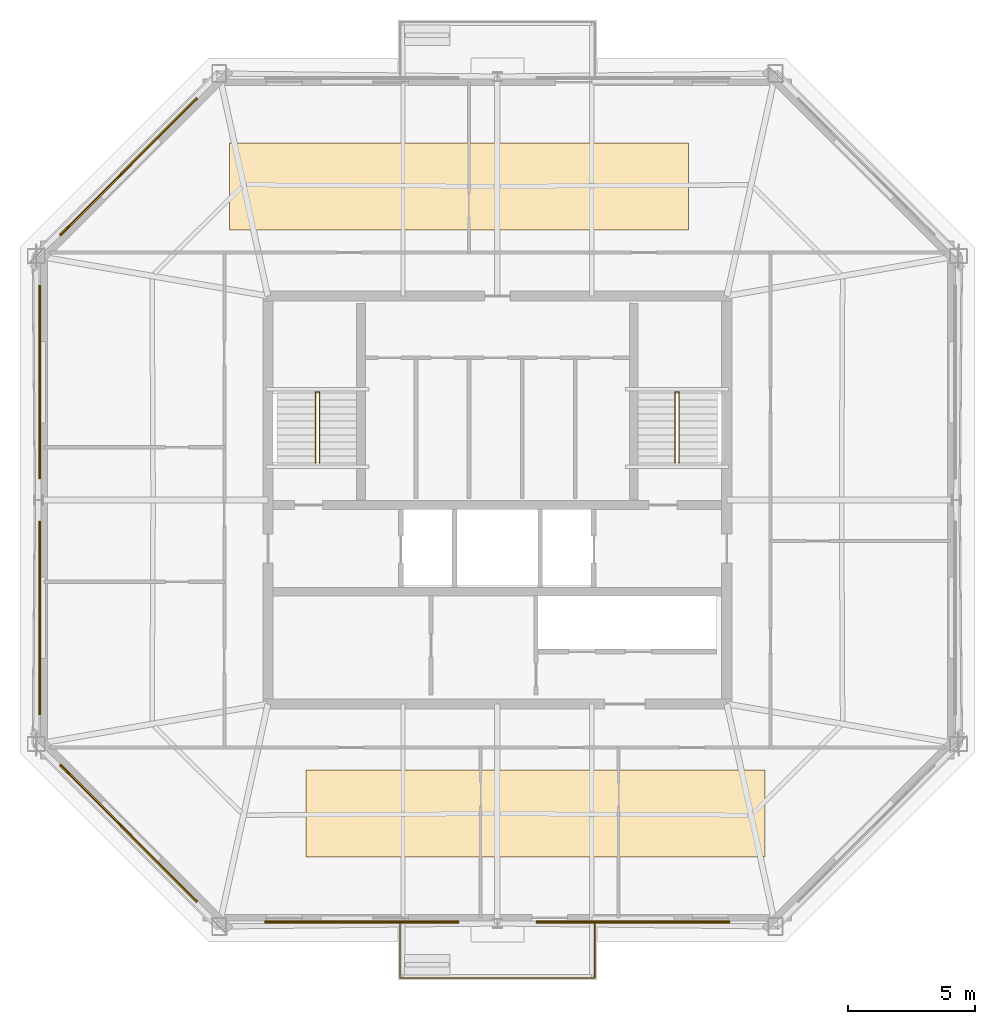
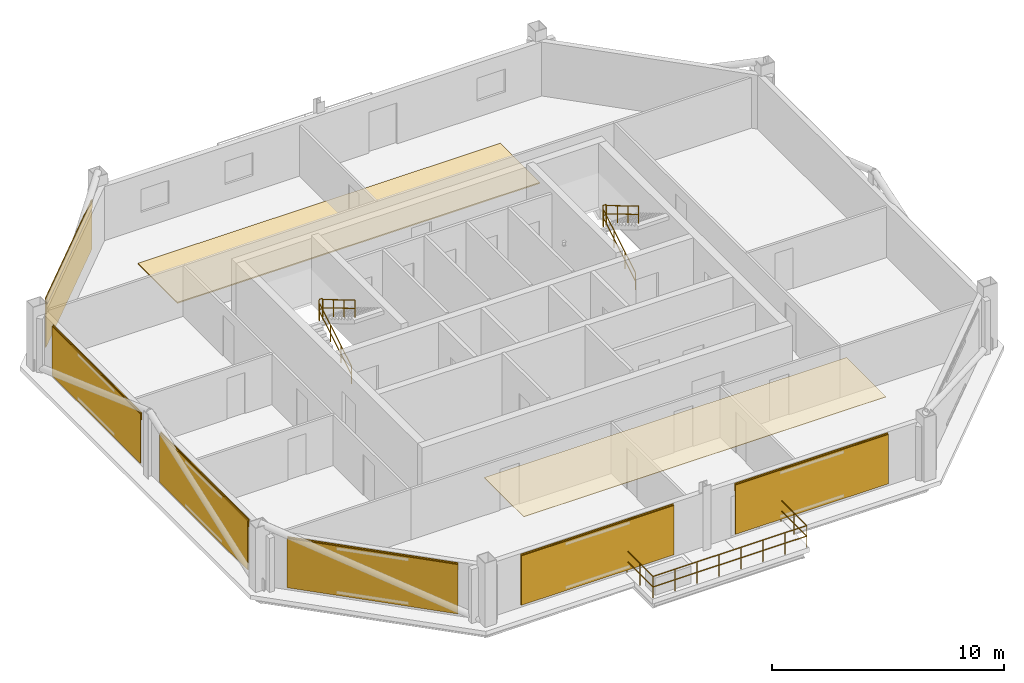
# One storey, part 5 of 6: 8 coverings, 7 railings, 6 shading devices.
"""IFC4 building model written with IfcOpenShell, lengths in metres."""

from ifc_helpers import new_model, si_unit, direction, frame, origin, origin_2d, place, context, subcontext, project, spatial, polyline, rectangle, circle, outline, extrude, material, layer, layer_set, type_object, element, save


model = new_model("IFC4")

# Units and contexts
model_context = context("Model", 3, precision=1e-05, world=origin(), true_north=direction((0.0, 1.0)))
body_context = subcontext(model_context, "Body", "Model", "MODEL_VIEW")
ifc_project = project(units=[si_unit("LENGTHUNIT", "METRE"), si_unit("AREAUNIT", "SQUARE_METRE"), si_unit("VOLUMEUNIT", "CUBIC_METRE"), si_unit("PLANEANGLEUNIT", "RADIAN"), si_unit("MASSUNIT", "GRAM", prefix="KILO")], contexts=[model_context])

# Site, building, storey
site_placement = place(None, origin())
site = spatial("IfcSite", under=ifc_project, at=site_placement, CompositionType="ELEMENT")
building_placement = place(site_placement, origin())
building = spatial("IfcBuilding", under=site, at=building_placement, Name="Caelvoria Tower", CompositionType="ELEMENT")
storey_placement = place(building_placement, frame((0.0, 0.0, 261.0)))
storey = spatial("IfcBuildingStorey", under=building, at=storey_placement, Name="L69", CompositionType="ELEMENT", Elevation=261.0)

# Railing
ifc_material_1 = material(Name="Bronze Anodised Aluminium and Stainless Steel", Category="steel")
railing_type_1 = type_object("IfcRailingType", Name="Exterior Terrace and Balcony Guardrail 1150", PredefinedType="GUARDRAIL", material=ifc_material_1)
railing_1_placement = place(storey_placement, frame((42.179931640625, 15.47265625, 0.0)))
element("IfcRailing", 1, at=railing_1_placement, inside=storey, type_object=railing_type_1, Name="Tree Balcony Guardrail TB-L69-S", PredefinedType="GUARDRAIL", context=body_context, shape_type="SweptSolid", body=[
    extrude(circle(Radius=0.02392578125, at=origin_2d()), frame((0.0, 0.0, 1.1259765625), z_axis=(0.0, -1.0, 0.0), x_axis=(1.0, 0.0, 0.0)), (0.0, 0.0, 1.0), 2.219970703125),
    extrude(circle(Radius=0.02392578125, at=origin_2d()), frame((0.0, 0.0, 0.574951171875), z_axis=(0.0, -1.0, 0.0), x_axis=(1.0, 0.0, 0.0)), (0.0, 0.0, 1.0), 2.219970703125),
    extrude(circle(Radius=0.02392578125, at=origin_2d()), frame((0.0, -2.219970703125, 1.1259765625), z_axis=(1.0, 0.0, 0.0), x_axis=(0.0, 1.0, 0.0)), (0.0, 0.0, 1.0), 7.64013671875),
    extrude(circle(Radius=0.02392578125, at=origin_2d()), frame((0.0, -2.219970703125, 0.574951171875), z_axis=(1.0, 0.0, 0.0), x_axis=(0.0, 1.0, 0.0)), (0.0, 0.0, 1.0), 7.64013671875),
    extrude(circle(Radius=0.02392578125, at=origin_2d()), frame((7.64013671875, -2.219970703125, 1.1259765625), z_axis=(0.0, 1.0, 0.0), x_axis=(-1.0, 0.0, 0.0)), (0.0, 0.0, 1.0), 2.219970703125),
    extrude(circle(Radius=0.02392578125, at=origin_2d()), frame((7.64013671875, -2.219970703125, 0.574951171875), z_axis=(0.0, 1.0, 0.0), x_axis=(-1.0, 0.0, 0.0)), (0.0, 0.0, 1.0), 2.219970703125),
    extrude(circle(Radius=0.02099609375, at=origin_2d()), origin(), (0.0, 0.0, 1.0), 1.101806640625),
    extrude(circle(Radius=0.02099609375, at=origin_2d()), frame((0.0, -1.10986328125, 0.0)), (0.0, 0.0, 1.0), 1.101806640625),
    extrude(circle(Radius=0.02099609375, at=origin_2d()), frame((0.0, -2.219970703125, 0.0)), (0.0, 0.0, 1.0), 1.101806640625),
    extrude(circle(Radius=0.02099609375, at=origin_2d()), frame((1.091552734375, -2.219970703125, 0.0)), (0.0, 0.0, 1.0), 1.101806640625),
    extrude(circle(Radius=0.02099609375, at=origin_2d()), frame((2.182861328125, -2.219970703125, 0.0)), (0.0, 0.0, 1.0), 1.101806640625),
    extrude(circle(Radius=0.02099609375, at=origin_2d()), frame((3.2744140625, -2.219970703125, 0.0)), (0.0, 0.0, 1.0), 1.101806640625),
    extrude(circle(Radius=0.02099609375, at=origin_2d()), frame((4.36572265625, -2.219970703125, 0.0)), (0.0, 0.0, 1.0), 1.101806640625),
    extrude(circle(Radius=0.02099609375, at=origin_2d()), frame((5.457275390625, -2.219970703125, 0.0)), (0.0, 0.0, 1.0), 1.101806640625),
    extrude(circle(Radius=0.02099609375, at=origin_2d()), frame((6.548583984375, -2.219970703125, 0.0)), (0.0, 0.0, 1.0), 1.101806640625),
    extrude(circle(Radius=0.02099609375, at=origin_2d()), frame((7.64013671875, -2.219970703125, 0.0)), (0.0, 0.0, 1.0), 1.101806640625),
    extrude(circle(Radius=0.02099609375, at=origin_2d()), frame((7.64013671875, -1.10986328125, 0.0)), (0.0, 0.0, 1.0), 1.101806640625),
    extrude(circle(Radius=0.02099609375, at=origin_2d()), frame((7.64013671875, 0.0, 0.0)), (0.0, 0.0, 1.0), 1.101806640625),
])

# Coverings
ifc_material_2 = material(Name="Acoustic Mineral Fibre Tile", Category="gypsum")
ifc_layer_1 = layer(ifc_material_2, 0.02490234375, Name="Acoustic Mineral Fibre Tile")
ifc_layer_set_1 = layer_set([ifc_layer_1], Name="Mineral-Fibre Acoustic Suspended Ceiling 25 - Acoustic Mineral Fibre Tile")
covering_type_1 = type_object("IfcCoveringType", Name="Mineral-Fibre Acoustic Suspended Ceiling 25", PredefinedType="CEILING", material=ifc_layer_set_1)
covering_1_placement = place(storey_placement, frame((0.0, 0.0, 2.64990234375)))
element("IfcCovering", 2, at=covering_1_placement, inside=storey, type_object=covering_type_1, Name="Suspended Acoustic Ceiling L69", PredefinedType="CEILING", context=body_context, shape_type="SweptSolid", body=[
    extrude(outline(polyline([(38.5, 18.0), (56.5, 18.0), (56.5, 21.39990234375), (38.5, 21.39990234375), (38.5, 18.0)])), origin(), (0.0, 0.0, 1.0), 0.025146484375),
])
ifc_material_3 = material(Name="Perforated Architectural Bronze Cladding Screen", Category="bronze")
ifc_layer_2 = layer(ifc_material_3, 0.0400390625, Name="Perforated Architectural Bronze Cladding Screen")
ifc_layer_set_2 = layer_set([ifc_layer_2], Name="Perforated Bronze Louvre Cladding Band 40 - Perforated Architectural Bronze Cladding Screen")
covering_type_2 = type_object("IfcCoveringType", Name="Perforated Bronze Louvre Cladding Band 40", PredefinedType="CLADDING", material=ifc_layer_set_2)
for number, where, z_axis, x_axis, name in (
    (3, (40.677734375, 15.46826171875, 2.412109375), (0.0, 0.0, 1.0), (1.0, 0.0, 0.0), "Perforated Bronze Screen Band L69-E0-00"),
    (4, (51.322265625, 15.46826171875, 2.412109375), (0.0, 0.0, 1.0), (1.0, 0.0, 0.0), "Perforated Bronze Screen Band L69-E0-01"),
    (5, (31.548828125, 45.0556640625, 2.412109375), (0.0, 0.0, 1.0), (-0.707106781187, -0.707106781187, 0.0), "Perforated Bronze Screen Band L69-E5-00"),
    (6, (28.07275390625, 36.62451171875, 2.412109375), (0.0, 0.0, 1.0), (0.0, -1.0, 0.0), "Perforated Bronze Screen Band L69-E6-00"),
    (7, (28.07275390625, 27.37548828125, 2.412109375), (0.0, 0.0, 1.0), (0.0, -1.0, 0.0), "Perforated Bronze Screen Band L69-E6-01"),
    (8, (31.548828125, 18.9443359375, 2.412109375), (0.0, 0.0, 1.0), (0.707106781187, -0.707106781187, 0.0), "Perforated Bronze Screen Band L69-E7-00"),
):
    element("IfcCovering", number, at=place(storey_placement, frame(where, z_axis=z_axis, x_axis=x_axis)), inside=storey, type_object=covering_type_2, Name=name, PredefinedType="CLADDING", context=body_context, shape_type="SweptSolid", body=[
        extrude(rectangle(XDim=7.60009765625, YDim=0.0400390625, at=origin_2d()), origin(), (0.0, 0.0, 1.0), 0.39990234375),
    ])

# Shading devices
ifc_material_4 = material(Name="Perforated Architectural Bronze Alloy Panel", Category="bronze")
ifc_layer_3 = layer(ifc_material_4, 0.044921875, Name="Perforated Architectural Bronze Alloy Panel")
ifc_layer_set_3 = layer_set([ifc_layer_3], Name="Perforated Bronze Solar Screen Panel SCREEN - Perforated Architectural Bronze Alloy Panel")
shading_device_type = type_object("IfcShadingDeviceType", Name="Perforated Bronze Solar Screen Panel SCREEN", PredefinedType="USERDEFINED", material=ifc_layer_set_3)
for number, where, z_axis, x_axis, name in (
    (9, (40.677734375, 15.42529296875, 0.16015625), (0.0, 0.0, 1.0), (1.0, 0.0, 0.0), "Perforated Bronze Solar Screen L69-E0-00"),
    (10, (51.322265625, 15.42529296875, 0.16015625), (0.0, 0.0, 1.0), (1.0, 0.0, 0.0), "Perforated Bronze Solar Screen L69-E0-01"),
    (11, (31.5185546875, 45.086181640625, 0.16015625), (0.0, 0.0, 1.0), (-0.707106781187, -0.707106781187, 0.0), "Perforated Bronze Solar Screen L69-E5-00"),
    (12, (28.02978515625, 36.62451171875, 0.16015625), (0.0, 0.0, 1.0), (0.0, -1.0, 0.0), "Perforated Bronze Solar Screen L69-E6-00"),
    (13, (28.02978515625, 27.37548828125, 0.16015625), (0.0, 0.0, 1.0), (0.0, -1.0, 0.0), "Perforated Bronze Solar Screen L69-E6-01"),
    (14, (31.5185546875, 18.913818359375, 0.16015625), (0.0, 0.0, 1.0), (0.707106781187, -0.707106781187, 0.0), "Perforated Bronze Solar Screen L69-E7-00"),
):
    element("IfcShadingDevice", number, at=place(storey_placement, frame(where, z_axis=z_axis, x_axis=x_axis)), inside=storey, type_object=shading_device_type, Name=name, ObjectType="SCREEN", PredefinedType="USERDEFINED", context=body_context, shape_type="SweptSolid", body=[
        extrude(rectangle(XDim=7.60009765625, YDim=0.044921875, at=origin_2d()), origin(), (0.0, 0.0, 1.0), 2.592041015625),
    ])

# Covering
ifc_material_5 = material(Name="Calcium-Sulphate Raised Floor Tile", Category="gypsum")
ifc_layer_4 = layer(ifc_material_5, 0.06005859375, Name="Calcium-Sulphate Raised Floor Tile")
ifc_layer_set_4 = layer_set([ifc_layer_4], Name="Raised Access Office Floor System 120 - Calcium-Sulphate Raised Floor Tile")
covering_type_3 = type_object("IfcCoveringType", Name="Raised Access Office Floor System 120", PredefinedType="FLOORING", material=ifc_layer_set_4)
covering_2_placement = place(storey_placement, origin())
element("IfcCovering", 15, at=covering_2_placement, inside=storey, type_object=covering_type_3, Name="Raised Access Flooring L69", PredefinedType="FLOORING", context=body_context, shape_type="SweptSolid", body=[
    extrude(outline(polyline([(35.5, 42.60009765625), (53.5, 42.60009765625), (53.5, 46.0), (35.5, 46.0), (35.5, 42.60009765625)])), origin(), (0.0, 0.0, 1.0), 0.06005859375),
])

# Railings
ifc_material_6 = material(Name="Brushed Stainless Steel Tube", Category="steel")
railing_type_2 = type_object("IfcRailingType", Name="Stair Tubular Stainless Handrail 920", PredefinedType="HANDRAIL", material=ifc_material_6)
railing_2_placement = place(storey_placement, frame((38.8701171875, 33.449951171875, 0.16357421875)))
element("IfcRailing", 16, at=railing_2_placement, inside=storey, type_object=railing_type_2, Name="ST-01 Flight 1 Handrail L69", PredefinedType="HANDRAIL", context=body_context, shape_type="SweptSolid", body=[
    extrude(circle(Radius=0.02392578125, at=origin_2d()), frame((0.0, 0.0, 0.89599609375), z_axis=(0.0, 0.859351957796, 0.511384603436), x_axis=(-1.0, 0.0, 0.0)), (0.0, 0.0, 1.0), 3.2001953125),
    extrude(circle(Radius=0.02392578125, at=origin_2d()), frame((0.0, 0.0, 0.4599609375), z_axis=(0.0, 0.859351957796, 0.511384603436), x_axis=(-1.0, 0.0, 0.0)), (0.0, 0.0, 1.0), 3.2001953125),
    extrude(circle(Radius=0.02099609375, at=origin_2d()), origin(), (0.0, 0.0, 1.0), 0.871826171875),
    extrude(circle(Radius=0.02099609375, at=origin_2d()), frame((0.0, 0.916748046875, 0.54541015625)), (0.0, 0.0, 1.0), 0.871826171875),
    extrude(circle(Radius=0.02099609375, at=origin_2d()), frame((0.0, 1.833251953125, 1.091064453125)), (0.0, 0.0, 1.0), 0.871826171875),
    extrude(circle(Radius=0.02099609375, at=origin_2d()), frame((0.0, 2.75, 1.636474609375)), (0.0, 0.0, 1.0), 0.871826171875),
])
railing_3_placement = place(storey_placement, frame((39.030029296875, 36.199951171875, 1.963623046875)))
element("IfcRailing", 17, at=railing_3_placement, inside=storey, type_object=railing_type_2, Name="ST-01 Flight 2 Handrail L69", PredefinedType="HANDRAIL", context=body_context, shape_type="SweptSolid", body=[
    extrude(circle(Radius=0.02392578125, at=origin_2d()), frame((0.0, 0.0, 0.89599609375), z_axis=(0.0, -0.859351957796, 0.511384603436), x_axis=(1.0, 0.0, 0.0)), (0.0, 0.0, 1.0), 3.2001953125),
    extrude(circle(Radius=0.02392578125, at=origin_2d()), frame((0.0, 0.0, 0.4599609375), z_axis=(0.0, -0.859351957796, 0.511384603436), x_axis=(1.0, 0.0, 0.0)), (0.0, 0.0, 1.0), 3.2001953125),
    extrude(circle(Radius=0.02099609375, at=origin_2d()), origin(), (0.0, 0.0, 1.0), 0.871826171875),
    extrude(circle(Radius=0.02099609375, at=origin_2d()), frame((0.0, -0.916748046875, 0.54541015625)), (0.0, 0.0, 1.0), 0.871826171875),
    extrude(circle(Radius=0.02099609375, at=origin_2d()), frame((0.0, -1.833251953125, 1.091064453125)), (0.0, 0.0, 1.0), 0.871826171875),
    extrude(circle(Radius=0.02099609375, at=origin_2d()), frame((0.0, -2.75, 1.636474609375)), (0.0, 0.0, 1.0), 0.871826171875),
])
railing_4_placement = place(storey_placement, frame((52.969970703125, 33.449951171875, 0.16357421875)))
element("IfcRailing", 18, at=railing_4_placement, inside=storey, type_object=railing_type_2, Name="ST-02 Flight 1 Handrail L69", PredefinedType="HANDRAIL", context=body_context, shape_type="SweptSolid", body=[
    extrude(circle(Radius=0.02392578125, at=origin_2d()), frame((0.0, 0.0, 0.89599609375), z_axis=(0.0, 0.859351957796, 0.511384603436), x_axis=(-1.0, 0.0, 0.0)), (0.0, 0.0, 1.0), 3.2001953125),
    extrude(circle(Radius=0.02392578125, at=origin_2d()), frame((0.0, 0.0, 0.4599609375), z_axis=(0.0, 0.859351957796, 0.511384603436), x_axis=(-1.0, 0.0, 0.0)), (0.0, 0.0, 1.0), 3.2001953125),
    extrude(circle(Radius=0.02099609375, at=origin_2d()), origin(), (0.0, 0.0, 1.0), 0.871826171875),
    extrude(circle(Radius=0.02099609375, at=origin_2d()), frame((0.0, 0.916748046875, 0.54541015625)), (0.0, 0.0, 1.0), 0.871826171875),
    extrude(circle(Radius=0.02099609375, at=origin_2d()), frame((0.0, 1.833251953125, 1.091064453125)), (0.0, 0.0, 1.0), 0.871826171875),
    extrude(circle(Radius=0.02099609375, at=origin_2d()), frame((0.0, 2.75, 1.636474609375)), (0.0, 0.0, 1.0), 0.871826171875),
])
railing_5_placement = place(storey_placement, frame((53.1298828125, 36.199951171875, 1.963623046875)))
element("IfcRailing", 19, at=railing_5_placement, inside=storey, type_object=railing_type_2, Name="ST-02 Flight 2 Handrail L69", PredefinedType="HANDRAIL", context=body_context, shape_type="SweptSolid", body=[
    extrude(circle(Radius=0.02392578125, at=origin_2d()), frame((0.0, 0.0, 0.89599609375), z_axis=(0.0, -0.859351957796, 0.511384603436), x_axis=(1.0, 0.0, 0.0)), (0.0, 0.0, 1.0), 3.2001953125),
    extrude(circle(Radius=0.02392578125, at=origin_2d()), frame((0.0, 0.0, 0.4599609375), z_axis=(0.0, -0.859351957796, 0.511384603436), x_axis=(1.0, 0.0, 0.0)), (0.0, 0.0, 1.0), 3.2001953125),
    extrude(circle(Radius=0.02099609375, at=origin_2d()), origin(), (0.0, 0.0, 1.0), 0.871826171875),
    extrude(circle(Radius=0.02099609375, at=origin_2d()), frame((0.0, -0.916748046875, 0.54541015625)), (0.0, 0.0, 1.0), 0.871826171875),
    extrude(circle(Radius=0.02099609375, at=origin_2d()), frame((0.0, -1.833251953125, 1.091064453125)), (0.0, 0.0, 1.0), 0.871826171875),
    extrude(circle(Radius=0.02099609375, at=origin_2d()), frame((0.0, -2.75, 1.636474609375)), (0.0, 0.0, 1.0), 0.871826171875),
])
ifc_material_7 = material(Name="Brushed Stainless Steel Guardrail", Category="steel")
railing_type_3 = type_object("IfcRailingType", Name="Stair Well and Ramp Guardrail 1120", PredefinedType="GUARDRAIL", material=ifc_material_7)
for number, where, name in (
    (20, (38.8701171875, 36.239990234375, 1.800048828125), "ST-01 Half-Landing Well Guard L69"),
    (21, (52.969970703125, 36.239990234375, 1.800048828125), "ST-02 Half-Landing Well Guard L69"),
):
    element("IfcRailing", number, at=place(storey_placement, frame(where)), inside=storey, type_object=railing_type_3, Name=name, PredefinedType="GUARDRAIL", context=body_context, shape_type="SweptSolid", body=[
        extrude(circle(Radius=0.02392578125, at=origin_2d()), frame((0.0, 0.0, 1.09619140625), z_axis=(1.0, 0.0, 0.0), x_axis=(0.0, 1.0, 0.0)), (0.0, 0.0, 1.0), 0.159912109375),
        extrude(circle(Radius=0.02392578125, at=origin_2d()), frame((0.0, 0.0, 0.56005859375), z_axis=(1.0, 0.0, 0.0), x_axis=(0.0, 1.0, 0.0)), (0.0, 0.0, 1.0), 0.159912109375),
        extrude(circle(Radius=0.02099609375, at=origin_2d()), origin(), (0.0, 0.0, 1.0), 1.072021484375),
        extrude(circle(Radius=0.02099609375, at=origin_2d()), frame((0.159912109375, 0.0, 0.0)), (0.0, 0.0, 1.0), 1.072021484375),
    ])

save(model, "model.ifc")
